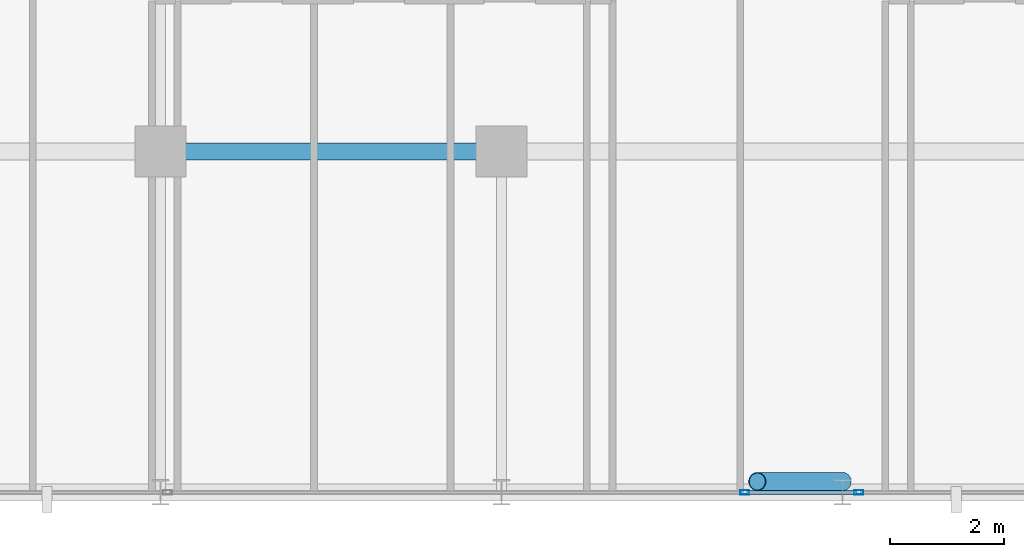
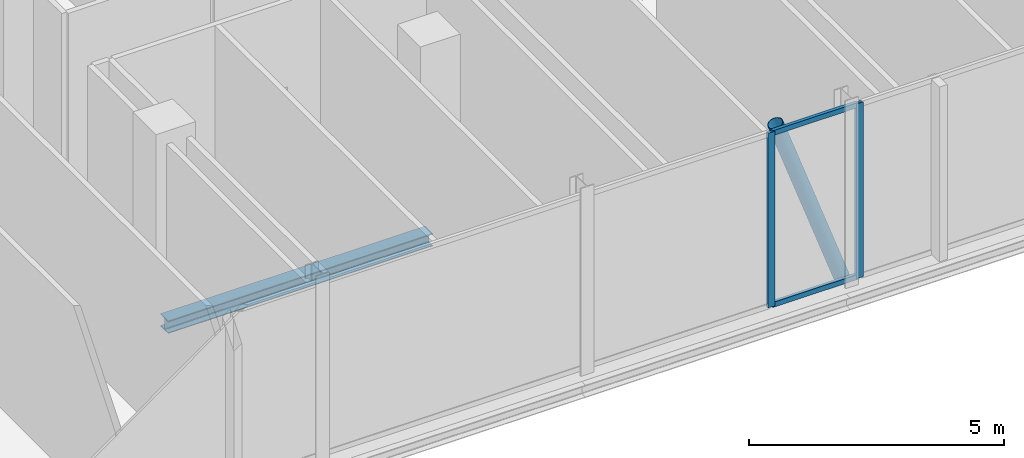
# One storey, part 10 of 28: 5 members, 1 beam, 2 elements without a shape of their own.
"""IFC4 building model written with IfcOpenShell, lengths in metres."""

from ifc_helpers import new_model, si_unit, direction, frame, origin, origin_2d, place, context, subcontext, project, spatial, hollow_rectangle, hollow_circle, i_section, extrude, material, layer, layer_set, material_profile, profile_set, type_object, element, aggregate, save


model = new_model("IFC4")

# Units and contexts
model_context = context("Model", 3, precision=1e-05, world=origin(), true_north=direction((0.0, 1.0)))
body_context = subcontext(model_context, "Body", "Model", "MODEL_VIEW")
ifc_project = project(units=[si_unit("LENGTHUNIT", "METRE"), si_unit("AREAUNIT", "SQUARE_METRE"), si_unit("VOLUMEUNIT", "CUBIC_METRE"), si_unit("PLANEANGLEUNIT", "RADIAN"), si_unit("MASSUNIT", "GRAM", prefix="KILO")], contexts=[model_context])

# Site, building, storey
site_placement = place(None, origin())
site = spatial("IfcSite", under=ifc_project, at=site_placement, CompositionType="ELEMENT")
building_placement = place(site_placement, origin())
building = spatial("IfcBuilding", under=site, at=building_placement, Name="Keshet Zoharim Tower", CompositionType="ELEMENT")
storey_placement = place(building_placement, frame((0.0, 0.0, 164.60009765625)))
storey = spatial("IfcBuildingStorey", under=building, at=storey_placement, Name="L40", CompositionType="ELEMENT", Elevation=164.60009765625)

# Beam
ifc_material_1 = material(Name="Steel S355", Category="steel")
ifc_material_profile_1 = material_profile(ifc_material_1, i_section(OverallWidth=0.300048828125, OverallDepth=0.300048828125, WebThickness=0.010986328125, FlangeThickness=0.01904296875, FilletRadius=0.027099609375, at=origin_2d()), Name="HEB300")
ifc_profile_set_1 = profile_set([ifc_material_profile_1], Name="Steel S355")
beam_type = type_object("IfcBeamType", Name="BM-PRI-HB300", PredefinedType="BEAM", material=ifc_profile_set_1)
beam_placement = place(storey_placement, frame((33.0, 6.699951171875, -0.460205078125), z_axis=(1.0, 0.0, 0.0), x_axis=(0.0, 1.0, 0.0)))
element("IfcBeam", 1, at=beam_placement, inside=storey, type_object=beam_type, Name="L40 Primary Girder X-007", PredefinedType="BEAM", context=body_context, shape_type="SweptSolid", body=[
    extrude(i_section(OverallWidth=0.300048828125, OverallDepth=0.300048828125, WebThickness=0.010986328125, FlangeThickness=0.01904296875, FilletRadius=0.027099609375, at=origin_2d()), origin(), (0.0, 0.0, 1.0), 6.0),
])

# Curtain wall, member
ifc_material_2 = material(Name="Aluminium 6063-T6", Category="aluminium")
ifc_layer = layer(ifc_material_2, 0.139892578125)
ifc_layer_set = layer_set([ifc_layer], Name="Aluminium 6063-T6")
curtain_wall_type = type_object("IfcCurtainWallType", Name="CW-SYS-05", PredefinedType="NOTDEFINED", material=ifc_layer_set)
curtain_wall_1_placement = place(storey_placement, origin())
curtain_wall_1 = element("IfcCurtainWall", 2, at=curtain_wall_1_placement, inside=storey, type_object=curtain_wall_type, Name="L40 Unitised Curtain Wall 06", PredefinedType="NOTDEFINED")
ifc_material_profile_2 = material_profile(ifc_material_2, hollow_rectangle(XDim=0.074951171875, YDim=0.159912109375, WallThickness=0.00390625, at=origin_2d()), Name="MUL-75x160")
ifc_profile_set_2 = profile_set([ifc_material_profile_2], Name="Aluminium 6063-T6")
member_type_1 = type_object("IfcMemberType", Name="CWM-M15", PredefinedType="MULLION", material=ifc_profile_set_2)
member_1_placement = place(storey_placement, frame((45.28759765625, 0.699951171875, 0.0), z_axis=(0.0, 0.0, 1.0), x_axis=(0.0, -1.0, 0.0)))
member_1 = element("IfcMember", 3, at=member_1_placement, type_object=member_type_1, Name="CW-05 mullion 2", PredefinedType="MULLION", context=body_context, shape_type="SweptSolid", body=[
    extrude(hollow_rectangle(XDim=0.074951171875, YDim=0.159912109375, WallThickness=0.00390625, at=origin_2d()), origin(), (0.0, 0.0, 1.0), 4.18994140625),
])
aggregate(curtain_wall_1, [member_1])

# Curtain wall, members
curtain_wall_2_placement = place(storey_placement, origin())
curtain_wall_2 = element("IfcCurtainWall", 4, at=curtain_wall_2_placement, inside=storey, type_object=curtain_wall_type, Name="L40 Unitised Curtain Wall 06 Part 2", PredefinedType="NOTDEFINED")
member_2_placement = place(storey_placement, frame((43.282470703125, 0.699951171875, 0.0), z_axis=(0.0, 0.0, 1.0), x_axis=(0.0, -1.0, 0.0)))
member_2 = element("IfcMember", 5, at=member_2_placement, type_object=member_type_1, Name="CW-05 mullion 2", PredefinedType="MULLION", context=body_context, shape_type="SweptSolid", body=[
    extrude(hollow_rectangle(XDim=0.074951171875, YDim=0.159912109375, WallThickness=0.00390625, at=origin_2d()), origin(), (0.0, 0.0, 1.0), 4.18994140625),
])
ifc_material_profile_3 = material_profile(ifc_material_2, hollow_rectangle(XDim=0.074951171875, YDim=0.1201171875, WallThickness=0.00390625, at=origin_2d()), Name="TRN-75x120")
ifc_profile_set_3 = profile_set([ifc_material_profile_3], Name="Aluminium 6063-T6")
member_type_2 = type_object("IfcMemberType", Name="CWT-T12", PredefinedType="USERDEFINED", material=ifc_profile_set_3)
member_3_placement = place(storey_placement, frame((45.25244140625, 0.699951171875, 0.034912109375), z_axis=(-1.0, 0.0, 0.0), x_axis=(0.0, -1.0, 0.0)))
member_3 = element("IfcMember", 6, at=member_3_placement, type_object=member_type_2, Name="CW-05 transom 1.1", ObjectType="TRANSOM", PredefinedType="USERDEFINED", context=body_context, shape_type="SweptSolid", body=[
    extrude(hollow_rectangle(XDim=0.074951171875, YDim=0.1201171875, WallThickness=0.00390625, at=origin_2d()), origin(), (0.0, 0.0, 1.0), 1.93505859375),
])
member_4_placement = place(storey_placement, frame((45.25244140625, 0.699951171875, 4.15478515625), z_axis=(-1.0, 0.0, 0.0), x_axis=(0.0, -1.0, 0.0)))
member_4 = element("IfcMember", 7, at=member_4_placement, type_object=member_type_2, Name="CW-05 transom 1.2", ObjectType="TRANSOM", PredefinedType="USERDEFINED", context=body_context, shape_type="SweptSolid", body=[
    extrude(hollow_rectangle(XDim=0.074951171875, YDim=0.1201171875, WallThickness=0.00390625, at=origin_2d()), origin(), (0.0, 0.0, 1.0), 1.93505859375),
])
aggregate(curtain_wall_2, [member_2, member_3, member_4])

# Member
ifc_material_profile_4 = material_profile(ifc_material_1, hollow_circle(Radius=0.161865234375, WallThickness=0.012451171875, at=origin_2d()), Name="CHS323x12.5")
ifc_profile_set_4 = profile_set([ifc_material_profile_4], Name="Steel S355")
member_type_3 = type_object("IfcMemberType", Name="MB-BR-C323", PredefinedType="BRACE", material=ifc_profile_set_4)
member_5_placement = place(storey_placement, frame((45.0, 0.889892578125, 0.0), z_axis=(-0.337052194166, 0.0, 0.941485962937), x_axis=(0.0, -1.0, 0.0)))
element("IfcMember", 8, at=member_5_placement, inside=storey, type_object=member_type_3, Name="L40 Perimeter Tube Brace 04", PredefinedType="BRACE", context=body_context, shape_type="SweptSolid", body=[
    extrude(hollow_circle(Radius=0.161865234375, WallThickness=0.012451171875, at=origin_2d()), origin(), (0.0, 0.0, 1.0), 4.450439453125),
])

save(model, "model.ifc")
